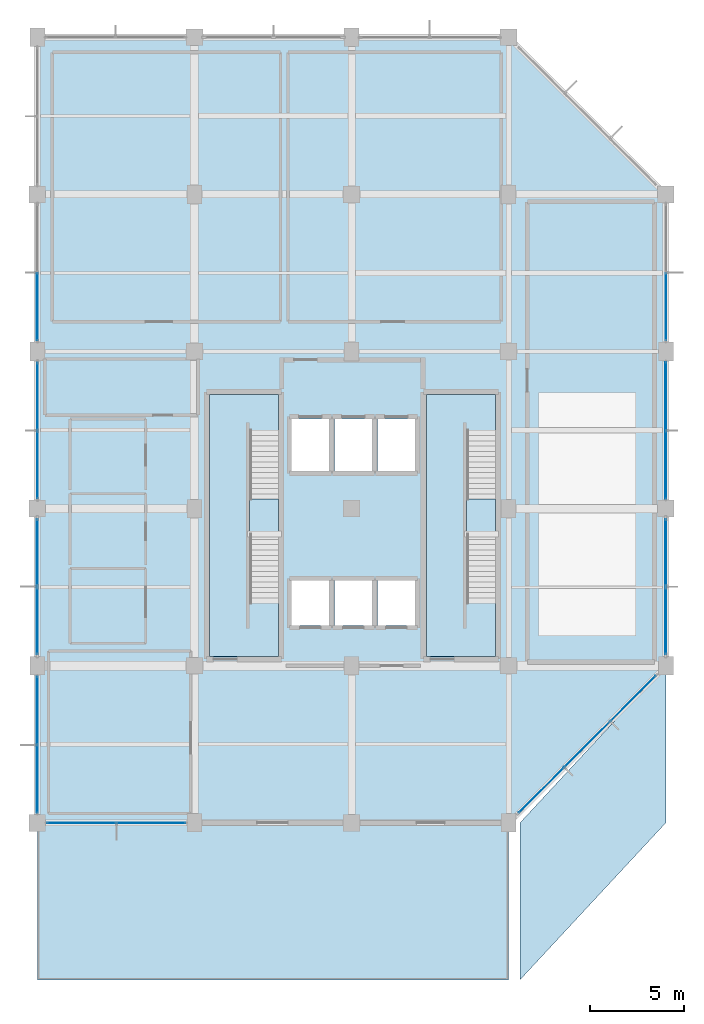
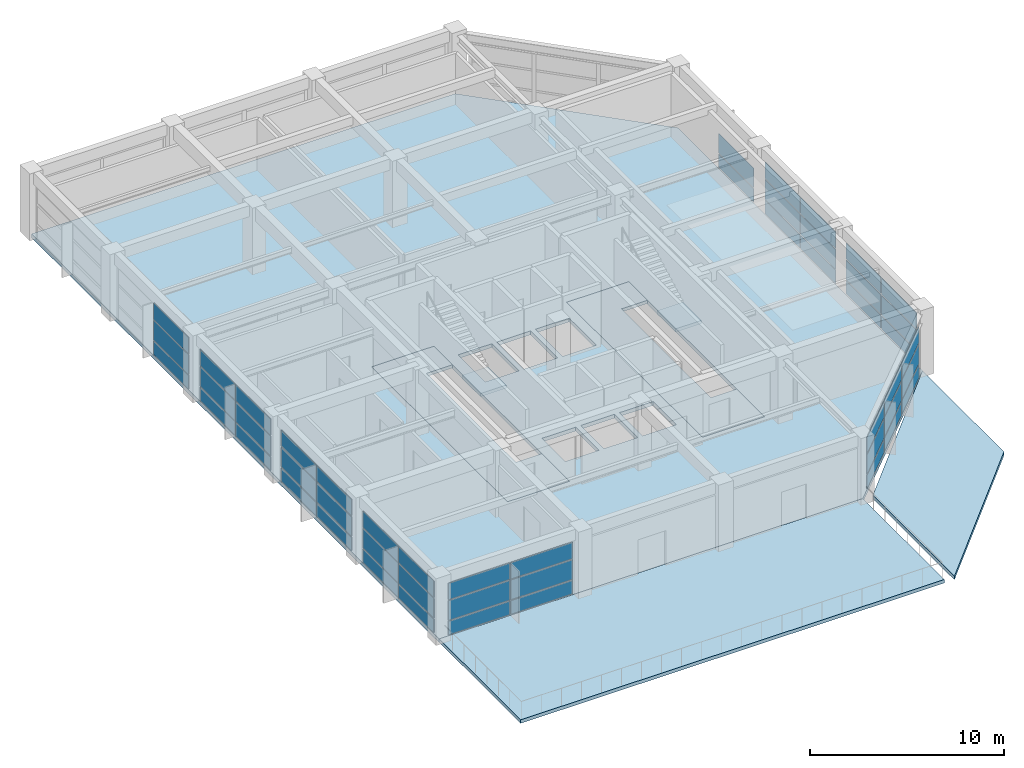
# One storey, part 7 of 11: 50 plates, 7 slabs, 11 elements without a shape of their own.
"""IFC4 building model written with IfcOpenShell, lengths in metres."""

from ifc_helpers import new_model, si_unit, direction, frame, origin, origin_2d, place, context, subcontext, project, spatial, polyline, rectangle, outline, extrude, material, layer, layer_set, type_object, element, aggregate, save


model = new_model("IFC4")

# Units and contexts
model_context = context("Model", 3, precision=1e-05, world=origin(), true_north=direction((0.0, 1.0)))
body_context = subcontext(model_context, "Body", "Model", "MODEL_VIEW")
ifc_project = project(units=[si_unit("LENGTHUNIT", "METRE"), si_unit("AREAUNIT", "SQUARE_METRE"), si_unit("VOLUMEUNIT", "CUBIC_METRE"), si_unit("PLANEANGLEUNIT", "RADIAN"), si_unit("MASSUNIT", "GRAM", prefix="KILO")], contexts=[model_context])

# Site, building, storey
site_placement = place(None, origin())
site = spatial("IfcSite", under=ifc_project, at=site_placement, CompositionType="ELEMENT")
building_placement = place(site_placement, origin())
building = spatial("IfcBuilding", under=site, at=building_placement, Name="Xuanlan Plaza Opera House", CompositionType="ELEMENT")
storey_placement = place(building_placement, frame((0.0, 0.0, 57.300048828125)))
storey = spatial("IfcBuildingStorey", under=building, at=storey_placement, Name="L13", CompositionType="ELEMENT", Elevation=57.300048828125)

# Curtain wall, plates
ifc_material_1 = material(Name="Anodised Aluminium 6063-T6 and Low-E Glass", Category="aluminium")
curtain_wall_type_1 = type_object("IfcCurtainWallType", Name="ENV-CW-CW-02", PredefinedType="USERDEFINED", material=ifc_material_1)
curtain_wall_1_placement = place(storey_placement, origin())
curtain_wall_1 = element("IfcCurtainWall", 1, at=curtain_wall_1_placement, inside=storey, type_object=curtain_wall_type_1, Name="Unitised Curtain Wall L13-007", ObjectType="UNITISED CURTAIN WALL", PredefinedType="USERDEFINED")
ifc_material_2 = material(Name="Laminated Acoustic Double Glazing", Category="glass")
ifc_layer_1 = layer(ifc_material_2, 0.028076171875)
ifc_layer_set_1 = layer_set([ifc_layer_1], Name="Laminated Acoustic Double Glazing")
plate_type_1 = type_object("IfcPlateType", Name="ENV-CWP-01", PredefinedType="CURTAIN_PANEL", material=ifc_layer_set_1)
plate_1_placement = place(storey_placement, frame((159.60009765625, 69.590087890625, 0.079833984375), z_axis=(0.0, 0.0, 1.0), x_axis=(0.0, 1.0, 0.0)))
plate_1 = element("IfcPlate", 2, at=plate_1_placement, type_object=plate_type_1, Name="CW-02 panel 1.1", PredefinedType="CURTAIN_PANEL", context=body_context, shape_type="SweptSolid", body=[
    extrude(rectangle(XDim=3.60009765625, YDim=0.028076171875, at=origin_2d()), origin(), (0.0, 0.0, 1.0), 0.830078125),
])
plate_2_placement = place(storey_placement, frame((159.60009765625, 69.590087890625, 0.98974609375), z_axis=(0.0, 0.0, 1.0), x_axis=(0.0, 1.0, 0.0)))
plate_2 = element("IfcPlate", 3, at=plate_2_placement, type_object=plate_type_1, Name="CW-02 panel 1.2", PredefinedType="CURTAIN_PANEL", context=body_context, shape_type="SweptSolid", body=[
    extrude(rectangle(XDim=3.60009765625, YDim=0.028076171875, at=origin_2d()), origin(), (0.0, 0.0, 1.0), 1.219970703125),
])
aggregate(curtain_wall_1, [plate_1, plate_2])

curtain_wall_type_2 = type_object("IfcCurtainWallType", Name="ENV-CW-CW-03", PredefinedType="USERDEFINED", material=ifc_material_1)
curtain_wall_2_placement = place(storey_placement, origin())
curtain_wall_2 = element("IfcCurtainWall", 4, at=curtain_wall_2_placement, inside=storey, type_object=curtain_wall_type_2, Name="Unitised Curtain Wall L13-004", ObjectType="UNITISED CURTAIN WALL", PredefinedType="USERDEFINED")
ifc_layer_2 = layer(ifc_material_2, 0.031982421875)
ifc_layer_set_2 = layer_set([ifc_layer_2], Name="Laminated Acoustic Double Glazing")
plate_type_2 = type_object("IfcPlateType", Name="ENV-CWP-02", PredefinedType="CURTAIN_PANEL", material=ifc_layer_set_2)
plate_3_placement = place(storey_placement, frame((152.94677734375, 43.746826171875, 0.074951171875), z_axis=(0.0, 0.0, 1.0), x_axis=(0.707106781187, 0.707106781187, 0.0)))
plate_3 = element("IfcPlate", 5, at=plate_3_placement, type_object=plate_type_2, Name="CW-03 panel 1.1", PredefinedType="CURTAIN_PANEL", context=body_context, shape_type="SweptSolid", body=[
    extrude(rectangle(XDim=3.369384765625, YDim=0.031982421875, at=origin_2d()), origin(), (0.0, 0.0, 1.0), 0.83740234375),
])
plate_4_placement = place(storey_placement, frame((152.94677734375, 43.746826171875, 0.9873046875), z_axis=(0.0, 0.0, 1.0), x_axis=(0.707106781187, 0.707106781187, 0.0)))
plate_4 = element("IfcPlate", 6, at=plate_4_placement, type_object=plate_type_2, Name="CW-03 panel 1.2", PredefinedType="CURTAIN_PANEL", context=body_context, shape_type="SweptSolid", body=[
    extrude(rectangle(XDim=3.369384765625, YDim=0.031982421875, at=origin_2d()), origin(), (0.0, 0.0, 1.0), 1.22509765625),
])
plate_5_placement = place(storey_placement, frame((152.94677734375, 43.746826171875, 2.287353515625), z_axis=(0.0, 0.0, 1.0), x_axis=(0.707106781187, 0.707106781187, 0.0)))
plate_5 = element("IfcPlate", 7, at=plate_5_placement, type_object=plate_type_2, Name="CW-03 panel 1.3", PredefinedType="CURTAIN_PANEL", context=body_context, shape_type="SweptSolid", body=[
    extrude(rectangle(XDim=3.369384765625, YDim=0.031982421875, at=origin_2d()), origin(), (0.0, 0.0, 1.0), 1.017578125),
])
plate_6_placement = place(storey_placement, frame((155.39990234375, 46.199951171875, 0.074951171875), z_axis=(0.0, 0.0, 1.0), x_axis=(0.707106781187, 0.707106781187, 0.0)))
plate_6 = element("IfcPlate", 8, at=plate_6_placement, type_object=plate_type_2, Name="CW-03 panel 2.1", PredefinedType="CURTAIN_PANEL", context=body_context, shape_type="SweptSolid", body=[
    extrude(rectangle(XDim=3.409423828125, YDim=0.031982421875, at=origin_2d()), origin(), (0.0, 0.0, 1.0), 0.83740234375),
])
plate_7_placement = place(storey_placement, frame((155.39990234375, 46.199951171875, 0.9873046875), z_axis=(0.0, 0.0, 1.0), x_axis=(0.707106781187, 0.707106781187, 0.0)))
plate_7 = element("IfcPlate", 9, at=plate_7_placement, type_object=plate_type_2, Name="CW-03 panel 2.2", PredefinedType="CURTAIN_PANEL", context=body_context, shape_type="SweptSolid", body=[
    extrude(rectangle(XDim=3.409423828125, YDim=0.031982421875, at=origin_2d()), origin(), (0.0, 0.0, 1.0), 1.22509765625),
])
plate_8_placement = place(storey_placement, frame((155.39990234375, 46.199951171875, 2.287353515625), z_axis=(0.0, 0.0, 1.0), x_axis=(0.707106781187, 0.707106781187, 0.0)))
plate_8 = element("IfcPlate", 10, at=plate_8_placement, type_object=plate_type_2, Name="CW-03 panel 2.3", PredefinedType="CURTAIN_PANEL", context=body_context, shape_type="SweptSolid", body=[
    extrude(rectangle(XDim=3.409423828125, YDim=0.031982421875, at=origin_2d()), origin(), (0.0, 0.0, 1.0), 1.017578125),
])
plate_9_placement = place(storey_placement, frame((157.853271484375, 48.653076171875, 0.074951171875), z_axis=(0.0, 0.0, 1.0), x_axis=(0.707106781187, 0.707106781187, 0.0)))
plate_9 = element("IfcPlate", 11, at=plate_9_placement, type_object=plate_type_2, Name="CW-03 panel 3.1", PredefinedType="CURTAIN_PANEL", context=body_context, shape_type="SweptSolid", body=[
    extrude(rectangle(XDim=3.369384765625, YDim=0.031982421875, at=origin_2d()), origin(), (0.0, 0.0, 1.0), 0.83740234375),
])
plate_10_placement = place(storey_placement, frame((157.853271484375, 48.653076171875, 0.9873046875), z_axis=(0.0, 0.0, 1.0), x_axis=(0.707106781187, 0.707106781187, 0.0)))
plate_10 = element("IfcPlate", 12, at=plate_10_placement, type_object=plate_type_2, Name="CW-03 panel 3.2", PredefinedType="CURTAIN_PANEL", context=body_context, shape_type="SweptSolid", body=[
    extrude(rectangle(XDim=3.369384765625, YDim=0.031982421875, at=origin_2d()), origin(), (0.0, 0.0, 1.0), 1.22509765625),
])
plate_11_placement = place(storey_placement, frame((157.853271484375, 48.653076171875, 2.287353515625), z_axis=(0.0, 0.0, 1.0), x_axis=(0.707106781187, 0.707106781187, 0.0)))
plate_11 = element("IfcPlate", 13, at=plate_11_placement, type_object=plate_type_2, Name="CW-03 panel 3.3", PredefinedType="CURTAIN_PANEL", context=body_context, shape_type="SweptSolid", body=[
    extrude(rectangle(XDim=3.369384765625, YDim=0.031982421875, at=origin_2d()), origin(), (0.0, 0.0, 1.0), 1.017578125),
])
aggregate(curtain_wall_2, [plate_3, plate_4, plate_5, plate_6, plate_7, plate_8, plate_9, plate_10, plate_11])

curtain_wall_type_3 = type_object("IfcCurtainWallType", Name="ENV-CW-CW-01", PredefinedType="USERDEFINED", material=ifc_material_1)
curtain_wall_3_placement = place(storey_placement, origin())
curtain_wall_3 = element("IfcCurtainWall", 14, at=curtain_wall_3_placement, inside=storey, type_object=curtain_wall_type_3, Name="Unitised Curtain Wall L13-014", ObjectType="UNITISED CURTAIN WALL", PredefinedType="USERDEFINED")
plate_12_placement = place(storey_placement, frame((126.0, 64.8076171875, 0.074951171875), z_axis=(0.0, 0.0, 1.0), x_axis=(0.0, -1.0, 0.0)))
plate_12 = element("IfcPlate", 15, at=plate_12_placement, type_object=plate_type_2, Name="CW-01 panel 1.1", PredefinedType="CURTAIN_PANEL", context=body_context, shape_type="SweptSolid", body=[
    extrude(rectangle(XDim=3.5849609375, YDim=0.031982421875, at=origin_2d()), origin(), (0.0, 0.0, 1.0), 0.83740234375),
])
plate_13_placement = place(storey_placement, frame((126.0, 64.8076171875, 0.9873046875), z_axis=(0.0, 0.0, 1.0), x_axis=(0.0, -1.0, 0.0)))
plate_13 = element("IfcPlate", 16, at=plate_13_placement, type_object=plate_type_2, Name="CW-01 panel 1.2", PredefinedType="CURTAIN_PANEL", context=body_context, shape_type="SweptSolid", body=[
    extrude(rectangle(XDim=3.5849609375, YDim=0.031982421875, at=origin_2d()), origin(), (0.0, 0.0, 1.0), 1.22509765625),
])
plate_14_placement = place(storey_placement, frame((126.0, 64.8076171875, 2.287353515625), z_axis=(0.0, 0.0, 1.0), x_axis=(0.0, -1.0, 0.0)))
plate_14 = element("IfcPlate", 17, at=plate_14_placement, type_object=plate_type_2, Name="CW-01 panel 1.3", PredefinedType="CURTAIN_PANEL", context=body_context, shape_type="SweptSolid", body=[
    extrude(rectangle(XDim=3.5849609375, YDim=0.031982421875, at=origin_2d()), origin(), (0.0, 0.0, 1.0), 1.017578125),
])
plate_15_placement = place(storey_placement, frame((126.0, 61.142578125, 0.074951171875), z_axis=(0.0, 0.0, 1.0), x_axis=(0.0, -1.0, 0.0)))
plate_15 = element("IfcPlate", 18, at=plate_15_placement, type_object=plate_type_2, Name="CW-01 panel 2.1", PredefinedType="CURTAIN_PANEL", context=body_context, shape_type="SweptSolid", body=[
    extrude(rectangle(XDim=3.5849609375, YDim=0.031982421875, at=origin_2d()), origin(), (0.0, 0.0, 1.0), 0.83740234375),
])
plate_16_placement = place(storey_placement, frame((126.0, 61.142578125, 0.9873046875), z_axis=(0.0, 0.0, 1.0), x_axis=(0.0, -1.0, 0.0)))
plate_16 = element("IfcPlate", 19, at=plate_16_placement, type_object=plate_type_2, Name="CW-01 panel 2.2", PredefinedType="CURTAIN_PANEL", context=body_context, shape_type="SweptSolid", body=[
    extrude(rectangle(XDim=3.5849609375, YDim=0.031982421875, at=origin_2d()), origin(), (0.0, 0.0, 1.0), 1.22509765625),
])
plate_17_placement = place(storey_placement, frame((126.0, 61.142578125, 2.287353515625), z_axis=(0.0, 0.0, 1.0), x_axis=(0.0, -1.0, 0.0)))
plate_17 = element("IfcPlate", 20, at=plate_17_placement, type_object=plate_type_2, Name="CW-01 panel 2.3", PredefinedType="CURTAIN_PANEL", context=body_context, shape_type="SweptSolid", body=[
    extrude(rectangle(XDim=3.5849609375, YDim=0.031982421875, at=origin_2d()), origin(), (0.0, 0.0, 1.0), 1.017578125),
])
aggregate(curtain_wall_3, [plate_12, plate_13, plate_14, plate_15, plate_16, plate_17])

curtain_wall_type_4 = type_object("IfcCurtainWallType", Name="ENV-CW-CW-04", PredefinedType="USERDEFINED", material=ifc_material_1)
curtain_wall_4_placement = place(storey_placement, origin())
curtain_wall_4 = element("IfcCurtainWall", 21, at=curtain_wall_4_placement, inside=storey, type_object=curtain_wall_type_4, Name="Unitised Curtain Wall L13-001", ObjectType="UNITISED CURTAIN WALL", PredefinedType="USERDEFINED")
ifc_layer_3 = layer(ifc_material_2, 0.035888671875)
ifc_layer_set_3 = layer_set([ifc_layer_3], Name="Laminated Acoustic Double Glazing")
plate_type_3 = type_object("IfcPlateType", Name="ENV-CWP-03", PredefinedType="CURTAIN_PANEL", material=ifc_layer_set_3)
plate_18_placement = place(storey_placement, frame((128.36376953125, 42.0, 0.06982421875), z_axis=(0.0, 0.0, 1.0), x_axis=(1.0, 0.0, 0.0)))
plate_18 = element("IfcPlate", 22, at=plate_18_placement, type_object=plate_type_3, Name="CW-04 panel 1.1", PredefinedType="CURTAIN_PANEL", context=body_context, shape_type="SweptSolid", body=[
    extrude(rectangle(XDim=3.657470703125, YDim=0.035888671875, at=origin_2d()), origin(), (0.0, 0.0, 1.0), 0.844970703125),
])
plate_19_placement = place(storey_placement, frame((128.36376953125, 42.0, 0.98486328125), z_axis=(0.0, 0.0, 1.0), x_axis=(1.0, 0.0, 0.0)))
plate_19 = element("IfcPlate", 23, at=plate_19_placement, type_object=plate_type_3, Name="CW-04 panel 1.2", PredefinedType="CURTAIN_PANEL", context=body_context, shape_type="SweptSolid", body=[
    extrude(rectangle(XDim=3.657470703125, YDim=0.035888671875, at=origin_2d()), origin(), (0.0, 0.0, 1.0), 1.22998046875),
])
plate_20_placement = place(storey_placement, frame((128.36376953125, 42.0, 2.284912109375), z_axis=(0.0, 0.0, 1.0), x_axis=(1.0, 0.0, 0.0)))
plate_20 = element("IfcPlate", 24, at=plate_20_placement, type_object=plate_type_3, Name="CW-04 panel 1.3", PredefinedType="CURTAIN_PANEL", context=body_context, shape_type="SweptSolid", body=[
    extrude(rectangle(XDim=3.657470703125, YDim=0.035888671875, at=origin_2d()), origin(), (0.0, 0.0, 1.0), 1.02490234375),
])
plate_21_placement = place(storey_placement, frame((132.086181640625, 42.0, 0.06982421875), z_axis=(0.0, 0.0, 1.0), x_axis=(1.0, 0.0, 0.0)))
plate_21 = element("IfcPlate", 25, at=plate_21_placement, type_object=plate_type_3, Name="CW-04 panel 2.1", PredefinedType="CURTAIN_PANEL", context=body_context, shape_type="SweptSolid", body=[
    extrude(rectangle(XDim=3.657470703125, YDim=0.035888671875, at=origin_2d()), origin(), (0.0, 0.0, 1.0), 0.844970703125),
])
plate_22_placement = place(storey_placement, frame((132.086181640625, 42.0, 0.98486328125), z_axis=(0.0, 0.0, 1.0), x_axis=(1.0, 0.0, 0.0)))
plate_22 = element("IfcPlate", 26, at=plate_22_placement, type_object=plate_type_3, Name="CW-04 panel 2.2", PredefinedType="CURTAIN_PANEL", context=body_context, shape_type="SweptSolid", body=[
    extrude(rectangle(XDim=3.657470703125, YDim=0.035888671875, at=origin_2d()), origin(), (0.0, 0.0, 1.0), 1.22998046875),
])
plate_23_placement = place(storey_placement, frame((132.086181640625, 42.0, 2.284912109375), z_axis=(0.0, 0.0, 1.0), x_axis=(1.0, 0.0, 0.0)))
plate_23 = element("IfcPlate", 27, at=plate_23_placement, type_object=plate_type_3, Name="CW-04 panel 2.3", PredefinedType="CURTAIN_PANEL", context=body_context, shape_type="SweptSolid", body=[
    extrude(rectangle(XDim=3.657470703125, YDim=0.035888671875, at=origin_2d()), origin(), (0.0, 0.0, 1.0), 1.02490234375),
])
aggregate(curtain_wall_4, [plate_18, plate_19, plate_20, plate_21, plate_22, plate_23])

curtain_wall_5_placement = place(storey_placement, origin())
curtain_wall_5 = element("IfcCurtainWall", 28, at=curtain_wall_5_placement, inside=storey, type_object=curtain_wall_type_3, Name="Unitised Curtain Wall L13-006", ObjectType="UNITISED CURTAIN WALL", PredefinedType="USERDEFINED")
plate_24_placement = place(storey_placement, frame((159.60009765625, 61.138671875, 0.06982421875), z_axis=(0.0, 0.0, 1.0), x_axis=(0.0, 1.0, 0.0)))
plate_24 = element("IfcPlate", 29, at=plate_24_placement, type_object=plate_type_3, Name="CW-01 panel 1.1", PredefinedType="CURTAIN_PANEL", context=body_context, shape_type="SweptSolid", body=[
    extrude(rectangle(XDim=3.607421875, YDim=0.035888671875, at=origin_2d()), origin(), (0.0, 0.0, 1.0), 0.844970703125),
])
plate_25_placement = place(storey_placement, frame((159.60009765625, 61.138671875, 0.98486328125), z_axis=(0.0, 0.0, 1.0), x_axis=(0.0, 1.0, 0.0)))
plate_25 = element("IfcPlate", 30, at=plate_25_placement, type_object=plate_type_3, Name="CW-01 panel 1.2", PredefinedType="CURTAIN_PANEL", context=body_context, shape_type="SweptSolid", body=[
    extrude(rectangle(XDim=3.607421875, YDim=0.035888671875, at=origin_2d()), origin(), (0.0, 0.0, 1.0), 1.22998046875),
])
plate_26_placement = place(storey_placement, frame((159.60009765625, 61.138671875, 2.284912109375), z_axis=(0.0, 0.0, 1.0), x_axis=(0.0, 1.0, 0.0)))
plate_26 = element("IfcPlate", 31, at=plate_26_placement, type_object=plate_type_3, Name="CW-01 panel 1.3", PredefinedType="CURTAIN_PANEL", context=body_context, shape_type="SweptSolid", body=[
    extrude(rectangle(XDim=3.607421875, YDim=0.035888671875, at=origin_2d()), origin(), (0.0, 0.0, 1.0), 1.02490234375),
])
plate_27_placement = place(storey_placement, frame((159.60009765625, 64.811279296875, 0.06982421875), z_axis=(0.0, 0.0, 1.0), x_axis=(0.0, 1.0, 0.0)))
plate_27 = element("IfcPlate", 32, at=plate_27_placement, type_object=plate_type_3, Name="CW-01 panel 2.1", PredefinedType="CURTAIN_PANEL", context=body_context, shape_type="SweptSolid", body=[
    extrude(rectangle(XDim=3.607421875, YDim=0.035888671875, at=origin_2d()), origin(), (0.0, 0.0, 1.0), 0.844970703125),
])
plate_28_placement = place(storey_placement, frame((159.60009765625, 64.811279296875, 0.98486328125), z_axis=(0.0, 0.0, 1.0), x_axis=(0.0, 1.0, 0.0)))
plate_28 = element("IfcPlate", 33, at=plate_28_placement, type_object=plate_type_3, Name="CW-01 panel 2.2", PredefinedType="CURTAIN_PANEL", context=body_context, shape_type="SweptSolid", body=[
    extrude(rectangle(XDim=3.607421875, YDim=0.035888671875, at=origin_2d()), origin(), (0.0, 0.0, 1.0), 1.22998046875),
])
plate_29_placement = place(storey_placement, frame((159.60009765625, 64.811279296875, 2.284912109375), z_axis=(0.0, 0.0, 1.0), x_axis=(0.0, 1.0, 0.0)))
plate_29 = element("IfcPlate", 34, at=plate_29_placement, type_object=plate_type_3, Name="CW-01 panel 2.3", PredefinedType="CURTAIN_PANEL", context=body_context, shape_type="SweptSolid", body=[
    extrude(rectangle(XDim=3.607421875, YDim=0.035888671875, at=origin_2d()), origin(), (0.0, 0.0, 1.0), 1.02490234375),
])
aggregate(curtain_wall_5, [plate_24, plate_25, plate_26, plate_27, plate_28, plate_29])

curtain_wall_6_placement = place(storey_placement, origin())
curtain_wall_6 = element("IfcCurtainWall", 35, at=curtain_wall_6_placement, inside=storey, type_object=curtain_wall_type_2, Name="Unitised Curtain Wall L13-016", ObjectType="UNITISED CURTAIN WALL", PredefinedType="USERDEFINED")
plate_30_placement = place(storey_placement, frame((126.0, 48.01123046875, 0.06982421875), z_axis=(0.0, 0.0, 1.0), x_axis=(0.0, -1.0, 0.0)))
plate_30 = element("IfcPlate", 36, at=plate_30_placement, type_object=plate_type_3, Name="CW-03 panel 1.1", PredefinedType="CURTAIN_PANEL", context=body_context, shape_type="SweptSolid", body=[
    extrude(rectangle(XDim=3.607421875, YDim=0.035888671875, at=origin_2d()), origin(), (0.0, 0.0, 1.0), 0.844970703125),
])
plate_31_placement = place(storey_placement, frame((126.0, 48.01123046875, 0.98486328125), z_axis=(0.0, 0.0, 1.0), x_axis=(0.0, -1.0, 0.0)))
plate_31 = element("IfcPlate", 37, at=plate_31_placement, type_object=plate_type_3, Name="CW-03 panel 1.2", PredefinedType="CURTAIN_PANEL", context=body_context, shape_type="SweptSolid", body=[
    extrude(rectangle(XDim=3.607421875, YDim=0.035888671875, at=origin_2d()), origin(), (0.0, 0.0, 1.0), 1.22998046875),
])
plate_32_placement = place(storey_placement, frame((126.0, 48.01123046875, 2.284912109375), z_axis=(0.0, 0.0, 1.0), x_axis=(0.0, -1.0, 0.0)))
plate_32 = element("IfcPlate", 38, at=plate_32_placement, type_object=plate_type_3, Name="CW-03 panel 1.3", PredefinedType="CURTAIN_PANEL", context=body_context, shape_type="SweptSolid", body=[
    extrude(rectangle(XDim=3.607421875, YDim=0.035888671875, at=origin_2d()), origin(), (0.0, 0.0, 1.0), 1.02490234375),
])
plate_33_placement = place(storey_placement, frame((126.0, 44.3388671875, 0.06982421875), z_axis=(0.0, 0.0, 1.0), x_axis=(0.0, -1.0, 0.0)))
plate_33 = element("IfcPlate", 39, at=plate_33_placement, type_object=plate_type_3, Name="CW-03 panel 2.1", PredefinedType="CURTAIN_PANEL", context=body_context, shape_type="SweptSolid", body=[
    extrude(rectangle(XDim=3.607421875, YDim=0.035888671875, at=origin_2d()), origin(), (0.0, 0.0, 1.0), 0.844970703125),
])
plate_34_placement = place(storey_placement, frame((126.0, 44.3388671875, 0.98486328125), z_axis=(0.0, 0.0, 1.0), x_axis=(0.0, -1.0, 0.0)))
plate_34 = element("IfcPlate", 40, at=plate_34_placement, type_object=plate_type_3, Name="CW-03 panel 2.2", PredefinedType="CURTAIN_PANEL", context=body_context, shape_type="SweptSolid", body=[
    extrude(rectangle(XDim=3.607421875, YDim=0.035888671875, at=origin_2d()), origin(), (0.0, 0.0, 1.0), 1.22998046875),
])
plate_35_placement = place(storey_placement, frame((126.0, 44.3388671875, 2.284912109375), z_axis=(0.0, 0.0, 1.0), x_axis=(0.0, -1.0, 0.0)))
plate_35 = element("IfcPlate", 41, at=plate_35_placement, type_object=plate_type_3, Name="CW-03 panel 2.3", PredefinedType="CURTAIN_PANEL", context=body_context, shape_type="SweptSolid", body=[
    extrude(rectangle(XDim=3.607421875, YDim=0.035888671875, at=origin_2d()), origin(), (0.0, 0.0, 1.0), 1.02490234375),
])
aggregate(curtain_wall_6, [plate_30, plate_31, plate_32, plate_33, plate_34, plate_35])

curtain_wall_7_placement = place(storey_placement, origin())
curtain_wall_7 = element("IfcCurtainWall", 42, at=curtain_wall_7_placement, inside=storey, type_object=curtain_wall_type_4, Name="Unitised Curtain Wall L13-013", ObjectType="UNITISED CURTAIN WALL", PredefinedType="USERDEFINED")
ifc_layer_4 = layer(ifc_material_2, 0.0400390625)
ifc_layer_set_4 = layer_set([ifc_layer_4], Name="Laminated Acoustic Double Glazing")
plate_type_4 = type_object("IfcPlateType", Name="ENV-CWP-04", PredefinedType="CURTAIN_PANEL", material=ifc_layer_set_4)
plate_36_placement = place(storey_placement, frame((126.0, 69.59130859375, 0.06494140625), z_axis=(0.0, 0.0, 1.0), x_axis=(0.0, -1.0, 0.0)))
plate_36 = element("IfcPlate", 43, at=plate_36_placement, type_object=plate_type_4, Name="CW-04 panel 2.1", PredefinedType="CURTAIN_PANEL", context=body_context, shape_type="SweptSolid", body=[
    extrude(rectangle(XDim=3.592529296875, YDim=0.0400390625, at=origin_2d()), origin(), (0.0, 0.0, 1.0), 0.8525390625),
])
plate_37_placement = place(storey_placement, frame((126.0, 69.59130859375, 0.982421875), z_axis=(0.0, 0.0, 1.0), x_axis=(0.0, -1.0, 0.0)))
plate_37 = element("IfcPlate", 44, at=plate_37_placement, type_object=plate_type_4, Name="CW-04 panel 2.2", PredefinedType="CURTAIN_PANEL", context=body_context, shape_type="SweptSolid", body=[
    extrude(rectangle(XDim=3.592529296875, YDim=0.0400390625, at=origin_2d()), origin(), (0.0, 0.0, 1.0), 1.235107421875),
])
plate_38_placement = place(storey_placement, frame((126.0, 69.59130859375, 2.2822265625), z_axis=(0.0, 0.0, 1.0), x_axis=(0.0, -1.0, 0.0)))
plate_38 = element("IfcPlate", 45, at=plate_38_placement, type_object=plate_type_4, Name="CW-04 panel 2.3", PredefinedType="CURTAIN_PANEL", context=body_context, shape_type="SweptSolid", body=[
    extrude(rectangle(XDim=3.592529296875, YDim=0.0400390625, at=origin_2d()), origin(), (0.0, 0.0, 1.0), 1.032470703125),
])
aggregate(curtain_wall_7, [plate_36, plate_37, plate_38])

curtain_wall_8_placement = place(storey_placement, origin())
curtain_wall_8 = element("IfcCurtainWall", 46, at=curtain_wall_8_placement, inside=storey, type_object=curtain_wall_type_4, Name="Unitised Curtain Wall L13-005", ObjectType="UNITISED CURTAIN WALL", PredefinedType="USERDEFINED")
ifc_layer_5 = layer(ifc_material_2, 0.0439453125)
ifc_layer_set_5 = layer_set([ifc_layer_5], Name="Laminated Acoustic Double Glazing")
plate_type_5 = type_object("IfcPlateType", Name="ENV-CWP-05", PredefinedType="CURTAIN_PANEL", material=ifc_layer_set_5)
plate_39_placement = place(storey_placement, frame((159.60009765625, 52.794921875, 0.090087890625), z_axis=(0.0, 0.0, 1.0), x_axis=(0.0, 1.0, 0.0)))
plate_39 = element("IfcPlate", 47, at=plate_39_placement, type_object=plate_type_5, Name="CW-04 panel 1.1", PredefinedType="CURTAIN_PANEL", context=body_context, shape_type="SweptSolid", body=[
    extrude(rectangle(XDim=3.570068359375, YDim=0.0439453125, at=origin_2d()), origin(), (0.0, 0.0, 1.0), 0.81494140625),
])
plate_40_placement = place(storey_placement, frame((159.60009765625, 52.794921875, 0.994873046875), z_axis=(0.0, 0.0, 1.0), x_axis=(0.0, 1.0, 0.0)))
plate_40 = element("IfcPlate", 48, at=plate_40_placement, type_object=plate_type_5, Name="CW-04 panel 1.2", PredefinedType="CURTAIN_PANEL", context=body_context, shape_type="SweptSolid", body=[
    extrude(rectangle(XDim=3.570068359375, YDim=0.0439453125, at=origin_2d()), origin(), (0.0, 0.0, 1.0), 1.2099609375),
])
plate_41_placement = place(storey_placement, frame((159.60009765625, 52.794921875, 2.294921875), z_axis=(0.0, 0.0, 1.0), x_axis=(0.0, 1.0, 0.0)))
plate_41 = element("IfcPlate", 49, at=plate_41_placement, type_object=plate_type_5, Name="CW-04 panel 1.3", PredefinedType="CURTAIN_PANEL", context=body_context, shape_type="SweptSolid", body=[
    extrude(rectangle(XDim=3.570068359375, YDim=0.0439453125, at=origin_2d()), origin(), (0.0, 0.0, 1.0), 0.9951171875),
])
plate_42_placement = place(storey_placement, frame((159.60009765625, 56.455078125, 0.090087890625), z_axis=(0.0, 0.0, 1.0), x_axis=(0.0, 1.0, 0.0)))
plate_42 = element("IfcPlate", 50, at=plate_42_placement, type_object=plate_type_5, Name="CW-04 panel 2.1", PredefinedType="CURTAIN_PANEL", context=body_context, shape_type="SweptSolid", body=[
    extrude(rectangle(XDim=3.570068359375, YDim=0.0439453125, at=origin_2d()), origin(), (0.0, 0.0, 1.0), 0.81494140625),
])
plate_43_placement = place(storey_placement, frame((159.60009765625, 56.455078125, 0.994873046875), z_axis=(0.0, 0.0, 1.0), x_axis=(0.0, 1.0, 0.0)))
plate_43 = element("IfcPlate", 51, at=plate_43_placement, type_object=plate_type_5, Name="CW-04 panel 2.2", PredefinedType="CURTAIN_PANEL", context=body_context, shape_type="SweptSolid", body=[
    extrude(rectangle(XDim=3.570068359375, YDim=0.0439453125, at=origin_2d()), origin(), (0.0, 0.0, 1.0), 1.2099609375),
])
plate_44_placement = place(storey_placement, frame((159.60009765625, 56.455078125, 2.294921875), z_axis=(0.0, 0.0, 1.0), x_axis=(0.0, 1.0, 0.0)))
plate_44 = element("IfcPlate", 52, at=plate_44_placement, type_object=plate_type_5, Name="CW-04 panel 2.3", PredefinedType="CURTAIN_PANEL", context=body_context, shape_type="SweptSolid", body=[
    extrude(rectangle(XDim=3.570068359375, YDim=0.0439453125, at=origin_2d()), origin(), (0.0, 0.0, 1.0), 0.9951171875),
])
aggregate(curtain_wall_8, [plate_39, plate_40, plate_41, plate_42, plate_43, plate_44])

curtain_wall_9_placement = place(storey_placement, origin())
curtain_wall_9 = element("IfcCurtainWall", 53, at=curtain_wall_9_placement, inside=storey, type_object=curtain_wall_type_1, Name="Unitised Curtain Wall L13-015", ObjectType="UNITISED CURTAIN WALL", PredefinedType="USERDEFINED")
plate_45_placement = place(storey_placement, frame((126.0, 56.455078125, 0.090087890625), z_axis=(0.0, 0.0, 1.0), x_axis=(0.0, -1.0, 0.0)))
plate_45 = element("IfcPlate", 54, at=plate_45_placement, type_object=plate_type_5, Name="CW-02 panel 1.1", PredefinedType="CURTAIN_PANEL", context=body_context, shape_type="SweptSolid", body=[
    extrude(rectangle(XDim=3.570068359375, YDim=0.0439453125, at=origin_2d()), origin(), (0.0, 0.0, 1.0), 0.81494140625),
])
plate_46_placement = place(storey_placement, frame((126.0, 56.455078125, 0.994873046875), z_axis=(0.0, 0.0, 1.0), x_axis=(0.0, -1.0, 0.0)))
plate_46 = element("IfcPlate", 55, at=plate_46_placement, type_object=plate_type_5, Name="CW-02 panel 1.2", PredefinedType="CURTAIN_PANEL", context=body_context, shape_type="SweptSolid", body=[
    extrude(rectangle(XDim=3.570068359375, YDim=0.0439453125, at=origin_2d()), origin(), (0.0, 0.0, 1.0), 1.2099609375),
])
plate_47_placement = place(storey_placement, frame((126.0, 56.455078125, 2.294921875), z_axis=(0.0, 0.0, 1.0), x_axis=(0.0, -1.0, 0.0)))
plate_47 = element("IfcPlate", 56, at=plate_47_placement, type_object=plate_type_5, Name="CW-02 panel 1.3", PredefinedType="CURTAIN_PANEL", context=body_context, shape_type="SweptSolid", body=[
    extrude(rectangle(XDim=3.570068359375, YDim=0.0439453125, at=origin_2d()), origin(), (0.0, 0.0, 1.0), 0.9951171875),
])
plate_48_placement = place(storey_placement, frame((126.0, 52.794921875, 0.090087890625), z_axis=(0.0, 0.0, 1.0), x_axis=(0.0, -1.0, 0.0)))
plate_48 = element("IfcPlate", 57, at=plate_48_placement, type_object=plate_type_5, Name="CW-02 panel 2.1", PredefinedType="CURTAIN_PANEL", context=body_context, shape_type="SweptSolid", body=[
    extrude(rectangle(XDim=3.570068359375, YDim=0.0439453125, at=origin_2d()), origin(), (0.0, 0.0, 1.0), 0.81494140625),
])
plate_49_placement = place(storey_placement, frame((126.0, 52.794921875, 0.994873046875), z_axis=(0.0, 0.0, 1.0), x_axis=(0.0, -1.0, 0.0)))
plate_49 = element("IfcPlate", 58, at=plate_49_placement, type_object=plate_type_5, Name="CW-02 panel 2.2", PredefinedType="CURTAIN_PANEL", context=body_context, shape_type="SweptSolid", body=[
    extrude(rectangle(XDim=3.570068359375, YDim=0.0439453125, at=origin_2d()), origin(), (0.0, 0.0, 1.0), 1.2099609375),
])
plate_50_placement = place(storey_placement, frame((126.0, 52.794921875, 2.294921875), z_axis=(0.0, 0.0, 1.0), x_axis=(0.0, -1.0, 0.0)))
plate_50 = element("IfcPlate", 59, at=plate_50_placement, type_object=plate_type_5, Name="CW-02 panel 2.3", PredefinedType="CURTAIN_PANEL", context=body_context, shape_type="SweptSolid", body=[
    extrude(rectangle(XDim=3.570068359375, YDim=0.0439453125, at=origin_2d()), origin(), (0.0, 0.0, 1.0), 0.9951171875),
])
aggregate(curtain_wall_9, [plate_45, plate_46, plate_47, plate_48, plate_49, plate_50])

# Stair, slabs
ifc_material_3 = material(Name="Concrete C40", Category="concrete")
stair_type = type_object("IfcStairType", Name="INT-ST-STR-T155", PredefinedType="STRAIGHT_RUN_STAIR", material=ifc_material_3)
stair_1_placement = place(storey_placement, origin())
stair_1 = element("IfcStair", 60, at=stair_1_placement, inside=storey, type_object=stair_type, Name="Protected Exit Stair ST-T1 L13", PredefinedType="STRAIGHT_RUN_STAIR")
ifc_layer_6 = layer(ifc_material_3, 0.199951171875)
ifc_layer_set_6 = layer_set([ifc_layer_6], Name="Concrete C40")
slab_type_1 = type_object("IfcSlabType", Name="INT-SLB-LND-20", PredefinedType="LANDING", material=ifc_layer_set_6)
slab_1_placement = place(storey_placement, frame((0.0, 0.0, 1.89990234375)))
slab_1 = element("IfcSlab", 61, at=slab_1_placement, type_object=slab_type_1, Name="ST-T1-L13 landing 1", PredefinedType="LANDING", context=body_context, shape_type="SweptSolid", body=[
    extrude(outline(polyline([(137.35009765625, 57.419921875), (138.89990234375, 57.419921875), (138.89990234375, 59.320068359375), (137.35009765625, 59.320068359375), (137.35009765625, 57.419921875)])), origin(), (0.0, 0.0, 1.0), 0.199951171875),
])
slab_2_placement = place(storey_placement, frame((0.0, 0.0, -0.199951171875)))
slab_2 = element("IfcSlab", 62, at=slab_2_placement, type_object=slab_type_1, Name="ST-T1-L13 landing 2", PredefinedType="LANDING", context=body_context, shape_type="SweptSolid", body=[
    extrude(outline(polyline([(135.199951171875, 50.89990234375), (138.89990234375, 50.89990234375), (138.89990234375, 53.764892578125), (137.35009765625, 53.764892578125), (137.35009765625, 62.97509765625), (138.89990234375, 62.97509765625), (138.89990234375, 64.89990234375), (135.199951171875, 64.89990234375), (135.199951171875, 50.89990234375)])), origin(), (0.0, 0.0, 1.0), 0.199951171875),
])
aggregate(stair_1, [slab_1, slab_2])

stair_2_placement = place(storey_placement, origin())
stair_2 = element("IfcStair", 63, at=stair_2_placement, inside=storey, type_object=stair_type, Name="Protected Exit Stair ST-T2 L13", PredefinedType="STRAIGHT_RUN_STAIR")
slab_3_placement = place(storey_placement, frame((0.0, 0.0, 1.89990234375)))
slab_3 = element("IfcSlab", 64, at=slab_3_placement, type_object=slab_type_1, Name="ST-T2-L13 landing 1", PredefinedType="LANDING", context=body_context, shape_type="SweptSolid", body=[
    extrude(outline(polyline([(148.949951171875, 57.419921875), (150.5, 57.419921875), (150.5, 59.320068359375), (148.949951171875, 59.320068359375), (148.949951171875, 57.419921875)])), origin(), (0.0, 0.0, 1.0), 0.199951171875),
])
slab_4_placement = place(storey_placement, frame((0.0, 0.0, -0.199951171875)))
slab_4 = element("IfcSlab", 65, at=slab_4_placement, type_object=slab_type_1, Name="ST-T2-L13 landing 2", PredefinedType="LANDING", context=body_context, shape_type="SweptSolid", body=[
    extrude(outline(polyline([(146.800048828125, 50.89990234375), (150.5, 50.89990234375), (150.5, 53.764892578125), (148.949951171875, 53.764892578125), (148.949951171875, 62.97509765625), (150.5, 62.97509765625), (150.5, 64.89990234375), (146.800048828125, 64.89990234375), (146.800048828125, 50.89990234375)])), origin(), (0.0, 0.0, 1.0), 0.199951171875),
])
aggregate(stair_2, [slab_3, slab_4])

# Slabs
ifc_layer_7 = layer(ifc_material_3, 0.22998046875)
ifc_layer_set_7 = layer_set([ifc_layer_7], Name="Concrete C40")
slab_type_2 = type_object("IfcSlabType", Name="STR-SLB-RF-03", PredefinedType="ROOF", material=ifc_layer_set_7)
slab_5_placement = place(storey_placement, frame((0.0, 0.0, -0.22998046875)))
element("IfcSlab", 66, at=slab_5_placement, inside=storey, type_object=slab_type_2, Name="Tower L13 South-East Chamfer Setback Roof Slab", PredefinedType="ROOF", context=body_context, shape_type="SweptSolid", body=[
    extrude(outline(polyline([(151.800048828125, 33.60009765625), (159.60009765625, 42.0), (159.60009765625, 50.39990234375), (151.800048828125, 42.0), (151.800048828125, 33.60009765625)])), origin(), (0.0, 0.0, 1.0), 0.22998046875),
])
ifc_layer_8 = layer(ifc_material_3, 0.239990234375)
ifc_layer_set_8 = layer_set([ifc_layer_8], Name="Concrete C40")
slab_type_3 = type_object("IfcSlabType", Name="STR-SLB-SL-03", PredefinedType="FLOOR", material=ifc_layer_set_8)
slab_6_placement = place(storey_placement, frame((0.0, 0.0, -0.239990234375)))
element("IfcSlab", 67, at=slab_6_placement, inside=storey, type_object=slab_type_3, Name="Storey L13 Structural Floor Slab", PredefinedType="FLOOR", context=body_context, shape_type="SweptSolid", body=[
    extrude(outline(polyline([(126.0, 42.0), (151.199951171875, 42.0), (159.60009765625, 50.39990234375), (159.60009765625, 75.60009765625), (151.199951171875, 84.0), (126.0, 84.0), (126.0, 42.0)]), holes=[polyline([(135.199951171875, 50.89990234375), (138.89990234375, 50.89990234375), (138.89990234375, 64.89990234375), (135.199951171875, 64.89990234375), (135.199951171875, 50.89990234375)]), polyline([(146.800048828125, 50.89990234375), (150.5, 50.89990234375), (150.5, 64.89990234375), (146.800048828125, 64.89990234375), (146.800048828125, 50.89990234375)]), polyline([(139.60009765625, 60.800048828125), (141.60009765625, 60.800048828125), (141.60009765625, 63.60009765625), (139.60009765625, 63.60009765625), (139.60009765625, 60.800048828125)]), polyline([(141.89990234375, 60.800048828125), (143.89990234375, 60.800048828125), (143.89990234375, 63.60009765625), (141.89990234375, 63.60009765625), (141.89990234375, 60.800048828125)]), polyline([(144.199951171875, 60.800048828125), (146.199951171875, 60.800048828125), (146.199951171875, 63.60009765625), (144.199951171875, 63.60009765625), (144.199951171875, 60.800048828125)]), polyline([(139.60009765625, 52.550048828125), (141.60009765625, 52.550048828125), (141.60009765625, 54.949951171875), (139.60009765625, 54.949951171875), (139.60009765625, 52.550048828125)]), polyline([(141.89990234375, 52.550048828125), (143.89990234375, 52.550048828125), (143.89990234375, 54.949951171875), (141.89990234375, 54.949951171875), (141.89990234375, 52.550048828125)]), polyline([(144.199951171875, 52.550048828125), (146.199951171875, 52.550048828125), (146.199951171875, 54.949951171875), (144.199951171875, 54.949951171875), (144.199951171875, 52.550048828125)])]), origin(), (0.0, 0.0, 1.0), 0.239990234375),
])
ifc_layer_9 = layer(ifc_material_3, 0.219970703125)
ifc_layer_set_9 = layer_set([ifc_layer_9], Name="Concrete C40")
slab_type_4 = type_object("IfcSlabType", Name="STR-SLB-SL-TR1", PredefinedType="FLOOR", material=ifc_layer_set_9)
slab_7_placement = place(storey_placement, frame((0.0, 0.0, -0.219970703125)))
element("IfcSlab", 68, at=slab_7_placement, inside=storey, type_object=slab_type_4, Name="Tower South Sky Terrace", PredefinedType="FLOOR", context=body_context, shape_type="SweptSolid", body=[
    extrude(outline(polyline([(126.0, 33.60009765625), (151.199951171875, 33.60009765625), (151.199951171875, 42.0), (126.0, 42.0), (126.0, 33.60009765625)])), origin(), (0.0, 0.0, 1.0), 0.219970703125),
])

save(model, "model.ifc")
